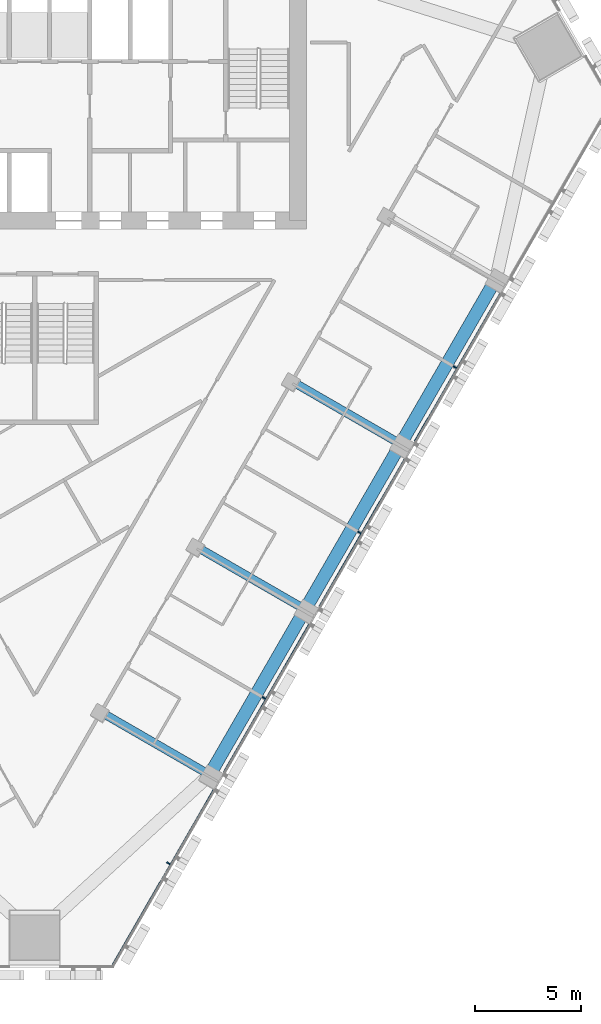
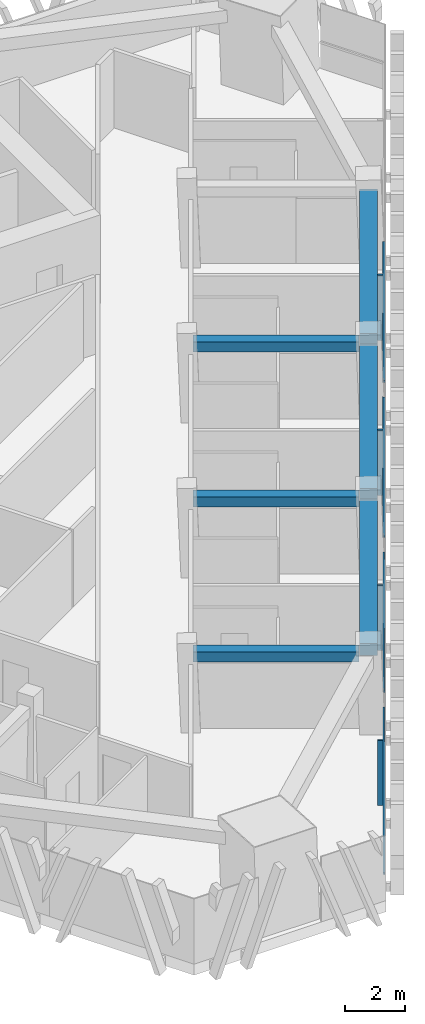
# One storey, part 4 of 16: 8 members, 6 beams, 1 element without a shape of its own.
"""IFC4 building model written with IfcOpenShell, lengths in metres."""

from ifc_helpers import new_model, si_unit, direction, frame, origin, origin_2d, place, context, subcontext, project, spatial, rectangle, extrude, material, layer, layer_set, material_profile, profile_set, type_object, element, aggregate, save


model = new_model("IFC4")

# Units and contexts
model_context = context("Model", 3, precision=1e-05, world=origin(), true_north=direction((0.0, 1.0)))
body_context = subcontext(model_context, "Body", "Model", "MODEL_VIEW")
ifc_project = project(units=[si_unit("LENGTHUNIT", "METRE"), si_unit("AREAUNIT", "SQUARE_METRE"), si_unit("VOLUMEUNIT", "CUBIC_METRE"), si_unit("PLANEANGLEUNIT", "RADIAN"), si_unit("MASSUNIT", "GRAM", prefix="KILO")], contexts=[model_context])

# Site, building, storey
site_placement = place(None, origin())
site = spatial("IfcSite", under=ifc_project, at=site_placement, CompositionType="ELEMENT")
building_placement = place(site_placement, origin())
building = spatial("IfcBuilding", under=site, at=building_placement, Name="Altiplano Prism Tower", CompositionType="ELEMENT")
storey_placement = place(building_placement, frame((0.0, 0.0, 149.39990234375)))
storey = spatial("IfcBuildingStorey", under=building, at=storey_placement, Name="L38", CompositionType="ELEMENT", Elevation=149.39990234375)

# Curtain wall, members
ifc_material_1 = material(Name="Aluminium and glass", Category="aluminium")
ifc_layer = layer(ifc_material_1, 0.280029296875)
ifc_layer_set = layer_set([ifc_layer], Name="Aluminium and glass")
curtain_wall_type = type_object("IfcCurtainWallType", Name="CW1 typical co-living unitised curtain wall", PredefinedType="NOTDEFINED", material=ifc_layer_set)
curtain_wall_placement = place(storey_placement, origin())
curtain_wall = element("IfcCurtainWall", 1, at=curtain_wall_placement, inside=storey, type_object=curtain_wall_type, Name="CW1 curtain wall south-east face L38", PredefinedType="NOTDEFINED")
ifc_material_2 = material(Name="Aluminium", Category="aluminium")
ifc_material_profile_1 = material_profile(ifc_material_2, rectangle(XDim=0.179931640625, YDim=0.06494140625, at=origin_2d()), Name="CW1 mullion 65 x 180")
ifc_profile_set_1 = profile_set([ifc_material_profile_1], Name="Aluminium")
member_type_1 = type_object("IfcMemberType", Name="CW1 mullion 65 x 180", PredefinedType="MULLION", material=ifc_profile_set_1)
member_1_placement = place(storey_placement, frame((91.30224609375, 62.717041015625, 0.0), z_axis=(0.0, 0.0, 1.0), x_axis=(-0.86602540121, 0.500000004459, 0.0)))
member_1 = element("IfcMember", 2, at=member_1_placement, type_object=member_type_1, Name="CW1 mullion", PredefinedType="MULLION", context=body_context, shape_type="SweptSolid", body=[
    extrude(rectangle(XDim=0.179931640625, YDim=0.06494140625, at=origin_2d()), origin(), (0.0, 0.0, 1.0), 2.650146484375),
])
member_2_placement = place(storey_placement, frame((95.80224609375, 70.51123046875, 0.0), z_axis=(0.0, 0.0, 1.0), x_axis=(-0.86602540121, 0.500000004459, 0.0)))
member_2 = element("IfcMember", 3, at=member_2_placement, type_object=member_type_1, Name="CW1 mullion", PredefinedType="MULLION", context=body_context, shape_type="SweptSolid", body=[
    extrude(rectangle(XDim=0.179931640625, YDim=0.06494140625, at=origin_2d()), origin(), (0.0, 0.0, 1.0), 2.650146484375),
])
member_3_placement = place(storey_placement, frame((100.30224609375, 78.3056640625, 0.0), z_axis=(0.0, 0.0, 1.0), x_axis=(-0.86602540121, 0.500000004459, 0.0)))
member_3 = element("IfcMember", 4, at=member_3_placement, type_object=member_type_1, Name="CW1 mullion", PredefinedType="MULLION", context=body_context, shape_type="SweptSolid", body=[
    extrude(rectangle(XDim=0.179931640625, YDim=0.06494140625, at=origin_2d()), origin(), (0.0, 0.0, 1.0), 2.650146484375),
])
member_4_placement = place(storey_placement, frame((104.80224609375, 86.099853515625, 0.0), z_axis=(0.0, 0.0, 1.0), x_axis=(-0.86602540121, 0.500000004459, 0.0)))
member_4 = element("IfcMember", 5, at=member_4_placement, type_object=member_type_1, Name="CW1 mullion", PredefinedType="MULLION", context=body_context, shape_type="SweptSolid", body=[
    extrude(rectangle(XDim=0.179931640625, YDim=0.06494140625, at=origin_2d()), origin(), (0.0, 0.0, 1.0), 2.650146484375),
])
ifc_material_profile_2 = material_profile(ifc_material_2, rectangle(XDim=0.06005859375, YDim=0.080078125, at=origin_2d()), Name="CW1 transom 80 x 60")
ifc_profile_set_2 = profile_set([ifc_material_profile_2], Name="Aluminium")
member_type_2 = type_object("IfcMemberType", Name="CW1 transom 80 x 60", PredefinedType="USERDEFINED", material=ifc_profile_set_2)
member_5_placement = place(storey_placement, frame((88.630859375, 57.85009765625, 1.10009765625), z_axis=(0.500002037649, 0.866024227344, 0.0), x_axis=(-0.866024227344, 0.500002037649, 0.0)))
member_5 = element("IfcMember", 6, at=member_5_placement, type_object=member_type_2, Name="CW1 transom", ObjectType="TRANSOM", PredefinedType="USERDEFINED", context=body_context, shape_type="SweptSolid", body=[
    extrude(rectangle(XDim=0.06005859375, YDim=0.080078125, at=origin_2d()), origin(), (0.0, 0.0, 1.0), 9.625),
])
member_6_placement = place(storey_placement, frame((93.908447265625, 66.9912109375, 1.10009765625), z_axis=(0.500007908628, 0.866020837688, 0.0), x_axis=(-0.866020837688, 0.500007908628, 0.0)))
member_6 = element("IfcMember", 7, at=member_6_placement, type_object=member_type_2, Name="CW1 transom", ObjectType="TRANSOM", PredefinedType="USERDEFINED", context=body_context, shape_type="SweptSolid", body=[
    extrude(rectangle(XDim=0.06005859375, YDim=0.080078125, at=origin_2d()), origin(), (0.0, 0.0, 1.0), 8.069580078125),
])
member_7_placement = place(storey_placement, frame((98.408447265625, 74.785400390625, 1.10009765625), z_axis=(0.499994808408, 0.866028401131, 0.0), x_axis=(-0.866028401131, 0.499994808408, 0.0)))
member_7 = element("IfcMember", 8, at=member_7_placement, type_object=member_type_2, Name="CW1 transom", ObjectType="TRANSOM", PredefinedType="USERDEFINED", context=body_context, shape_type="SweptSolid", body=[
    extrude(rectangle(XDim=0.06005859375, YDim=0.080078125, at=origin_2d()), origin(), (0.0, 0.0, 1.0), 8.06982421875),
])
member_8_placement = place(storey_placement, frame((102.908447265625, 82.57958984375, 1.10009765625), z_axis=(0.499994808408, 0.866028401131, 0.0), x_axis=(-0.866028401131, 0.499994808408, 0.0)))
member_8 = element("IfcMember", 9, at=member_8_placement, type_object=member_type_2, Name="CW1 transom", ObjectType="TRANSOM", PredefinedType="USERDEFINED", context=body_context, shape_type="SweptSolid", body=[
    extrude(rectangle(XDim=0.06005859375, YDim=0.080078125, at=origin_2d()), origin(), (0.0, 0.0, 1.0), 8.06982421875),
])
aggregate(curtain_wall, [member_1, member_5, member_2, member_6, member_3, member_7, member_4, member_8])

# Beams
ifc_material_3 = material(Name="Concrete C60/75", Category="concrete")
ifc_material_profile_3 = material_profile(ifc_material_3, rectangle(XDim=0.60009765625, YDim=0.5, at=origin_2d()), Name="Edge beam 600x500")
ifc_profile_set_3 = profile_set([ifc_material_profile_3], Name="Concrete C60/75")
beam_type_1 = type_object("IfcBeamType", Name="Edge beam 600x500", PredefinedType="SPANDREL", material=ifc_profile_set_3)
for number, where, z_axis, x_axis, name in (
    (10, (93.399658203125, 67.14697265625, 2.900146484375), (0.500010445942, 0.866019372733, 0.0), (-0.866019372733, 0.500010445942, 0.0), "Edge beam P21-P22 L39"),
    (11, (97.899658203125, 74.941162109375, 2.900146484375), (0.500010445942, 0.866019372733, 0.0), (-0.866019372733, 0.500010445942, 0.0), "Edge beam P22-P23 L39"),
    (12, (102.399658203125, 82.7353515625, 2.900146484375), (0.500010445942, 0.866019372733, 0.0), (-0.866019372733, 0.500010445942, 0.0), "Edge beam P23-P24 L39"),
):
    element("IfcBeam", number, at=place(storey_placement, frame(where, z_axis=z_axis, x_axis=x_axis)), inside=storey, type_object=beam_type_1, Name=name, PredefinedType="SPANDREL", context=body_context, shape_type="SweptSolid", body=[
        extrude(rectangle(XDim=0.60009765625, YDim=0.5, at=origin_2d()), origin(), (0.0, 0.0, 1.0), 8.389892578125),
    ])
ifc_material_profile_4 = material_profile(ifc_material_3, rectangle(XDim=0.39990234375, YDim=0.39990234375, at=origin_2d()), Name="Tie beam 400x400")
ifc_profile_set_4 = profile_set([ifc_material_profile_4], Name="Concrete C60/75")
beam_type_2 = type_object("IfcBeamType", Name="Tie beam 400x400", PredefinedType="BEAM", material=ifc_profile_set_4)
for number, where, z_axis, x_axis, name in (
    (13, (88.185302734375, 69.80517578125, 2.9501953125), (0.866027073272, -0.499997108352, 0.0), (0.499997108352, 0.866027073272, 0.0), "Tie beam I21 L39"),
    (14, (92.685302734375, 77.599609375, 2.9501953125), (0.866027073272, -0.499997108352, 0.0), (0.499997108352, 0.866027073272, 0.0), "Tie beam I22 L39"),
    (15, (97.185302734375, 85.393798828125, 2.9501953125), (0.866027073272, -0.499997108352, 0.0), (0.499997108352, 0.866027073272, 0.0), "Tie beam I23 L39"),
):
    element("IfcBeam", number, at=place(storey_placement, frame(where, z_axis=z_axis, x_axis=x_axis)), inside=storey, type_object=beam_type_2, Name=name, PredefinedType="BEAM", context=body_context, shape_type="SweptSolid", body=[
        extrude(rectangle(XDim=0.39990234375, YDim=0.39990234375, at=origin_2d()), origin(), (0.0, 0.0, 1.0), 5.5400390625),
    ])

save(model, "model.ifc")
